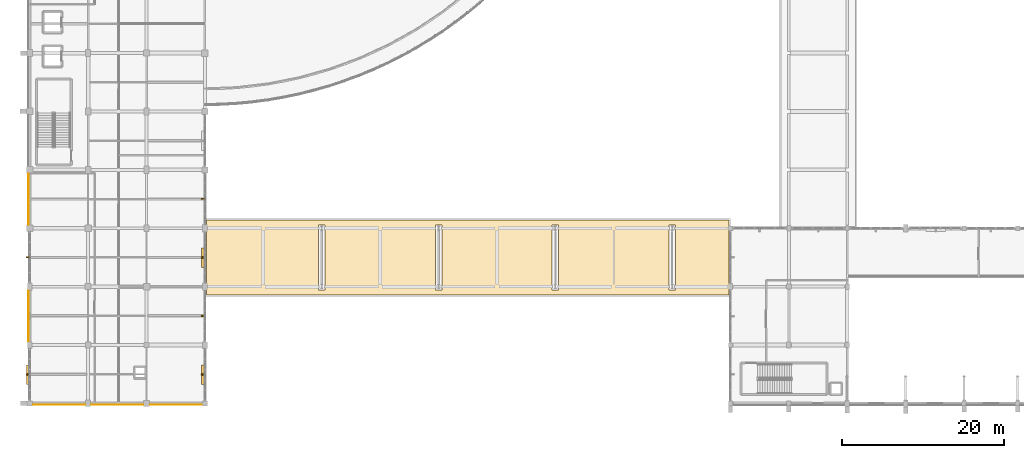
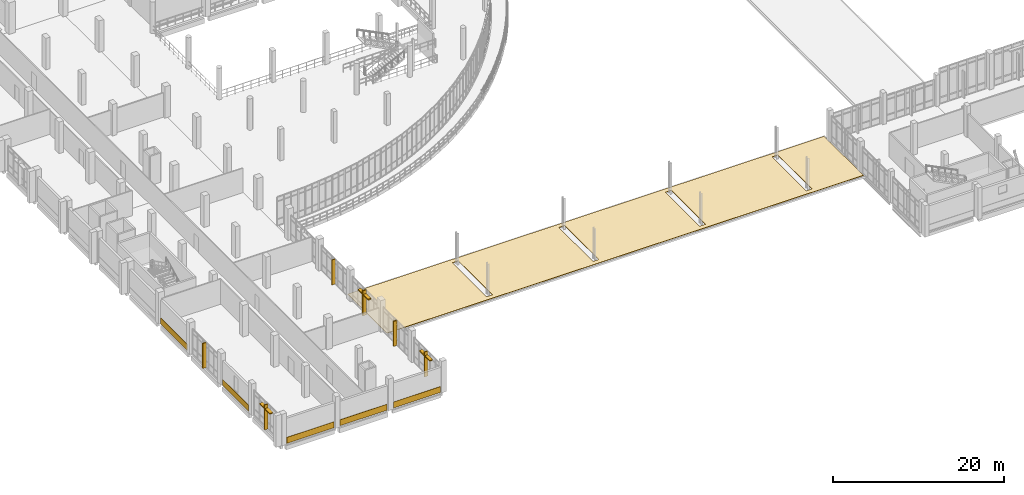
# One storey, part 122 of 134: 9 shading devices, 6 coverings.
"""IFC4 building model written with IfcOpenShell, lengths in metres."""

from ifc_helpers import new_model, si_unit, direction, frame, origin, origin_2d, place, context, subcontext, project, spatial, polyline, rectangle, outline, extrude, material, layer, layer_set, type_object, element, save


model = new_model("IFC4")

# Units and contexts
model_context = context("Model", 3, precision=1e-05, world=origin(), true_north=direction((0.0, 1.0)))
body_context = subcontext(model_context, "Body", "Model", "MODEL_VIEW")
ifc_project = project(units=[si_unit("LENGTHUNIT", "METRE"), si_unit("AREAUNIT", "SQUARE_METRE"), si_unit("VOLUMEUNIT", "CUBIC_METRE"), si_unit("PLANEANGLEUNIT", "RADIAN"), si_unit("MASSUNIT", "GRAM", prefix="KILO")], contexts=[model_context])

# Site, building, storey
site_placement = place(None, origin())
site = spatial("IfcSite", under=ifc_project, at=site_placement, CompositionType="ELEMENT")
building_placement = place(site_placement, origin())
building = spatial("IfcBuilding", under=site, at=building_placement, Name="Kalluvel Institute of Natural Sciences", CompositionType="ELEMENT")
storey_placement = place(building_placement, frame((0.0, 0.0, 5.39990234375)))
storey = spatial("IfcBuildingStorey", under=building, at=storey_placement, Name="L01", CompositionType="ELEMENT", Elevation=5.39990234375)

# Coverings
ifc_material_1 = material(Name="Sadarahalli Grey Granite Ashlar Concrete M40", Category="masonry")
ifc_layer_1 = layer(ifc_material_1, 0.044921875)
ifc_layer_set_1 = layer_set([ifc_layer_1], Name="Sadarahalli Grey Granite Ashlar Concrete M40")
covering_type_1 = type_object("IfcCoveringType", Name="COV-CLAD-STONE", PredefinedType="CLADDING", material=ifc_layer_set_1)
covering_1_placement = place(storey_placement, frame((13.830078125, 24.77490234375, 0.025146484375), z_axis=(0.0, 0.0, 1.0), x_axis=(0.0, 1.0, 0.0)))
element("IfcCovering", 1, at=covering_1_placement, inside=storey, type_object=covering_type_1, Name="L01 Sadarahalli granite plinth spandrel cladding 138", PredefinedType="CLADDING", context=body_context, shape_type="SweptSolid", body=[
    extrude(rectangle(XDim=6.18994140625, YDim=0.044921875, at=origin_2d()), origin(), (0.0, 0.0, 1.0), 0.85009765625),
])
covering_2_placement = place(storey_placement, frame((13.830078125, 39.1875, 0.025146484375), z_axis=(0.0, 0.0, 1.0), x_axis=(0.0, 1.0, 0.0)))
element("IfcCovering", 2, at=covering_2_placement, inside=storey, type_object=covering_type_1, Name="L01 Sadarahalli granite plinth spandrel cladding 139", PredefinedType="CLADDING", context=body_context, shape_type="SweptSolid", body=[
    extrude(rectangle(XDim=6.264892578125, YDim=0.044921875, at=origin_2d()), origin(), (0.0, 0.0, 1.0), 0.85009765625),
])
covering_3_placement = place(storey_placement, frame((17.612548828125, 13.830078125, 0.025146484375), z_axis=(0.0, 0.0, 1.0), x_axis=(1.0, 0.0, 0.0)))
element("IfcCovering", 3, at=covering_3_placement, inside=storey, type_object=covering_type_1, Name="L01 Sadarahalli granite plinth spandrel cladding 146", PredefinedType="CLADDING", context=body_context, shape_type="SweptSolid", body=[
    extrude(rectangle(XDim=6.4150390625, YDim=0.044921875, at=origin_2d()), origin(), (0.0, 0.0, 1.0), 0.85009765625),
])
covering_4_placement = place(storey_placement, frame((24.77490234375, 13.830078125, 0.025146484375), z_axis=(0.0, 0.0, 1.0), x_axis=(1.0, 0.0, 0.0)))
element("IfcCovering", 4, at=covering_4_placement, inside=storey, type_object=covering_type_1, Name="L01 Sadarahalli granite plinth spandrel cladding 147", PredefinedType="CLADDING", context=body_context, shape_type="SweptSolid", body=[
    extrude(rectangle(XDim=6.389892578125, YDim=0.044921875, at=origin_2d()), origin(), (0.0, 0.0, 1.0), 0.85009765625),
])
covering_5_placement = place(storey_placement, frame((32.012451171875, 13.830078125, 0.025146484375), z_axis=(0.0, 0.0, 1.0), x_axis=(1.0, 0.0, 0.0)))
element("IfcCovering", 5, at=covering_5_placement, inside=storey, type_object=covering_type_1, Name="L01 Sadarahalli granite plinth spandrel cladding 148", PredefinedType="CLADDING", context=body_context, shape_type="SweptSolid", body=[
    extrude(rectangle(XDim=6.364990234375, YDim=0.044921875, at=origin_2d()), origin(), (0.0, 0.0, 1.0), 0.85009765625),
])
ifc_material_2 = material(Name="SBS Polymer-Modified Bitumen Waterproofing", Category="bitumen")
ifc_layer_2 = layer(ifc_material_2, 0.06005859375)
ifc_layer_set_2 = layer_set([ifc_layer_2], Name="SBS Polymer-Modified Bitumen Waterproofing")
covering_type_2 = type_object("IfcCoveringType", Name="COV-ROOF-SBS", PredefinedType="ROOFING", material=ifc_layer_set_2)
covering_6_placement = place(storey_placement, origin())
element("IfcCovering", 6, at=covering_6_placement, inside=storey, type_object=covering_type_2, Name="L01 SBS roof waterproofing build-up RM-L01-COL1", PredefinedType="ROOFING", context=body_context, shape_type="SweptSolid", body=[
    extrude(outline(polyline([(35.800048828125, 27.39990234375), (100.199951171875, 27.39990234375), (100.199951171875, 36.60009765625), (35.800048828125, 36.60009765625), (35.800048828125, 27.39990234375)]), holes=[polyline([(49.60009765625, 28.0), (50.39990234375, 28.0), (50.39990234375, 36.0), (49.60009765625, 36.0), (49.60009765625, 28.0)]), polyline([(64.0, 28.0), (64.800048828125, 28.0), (64.800048828125, 36.0), (64.0, 36.0), (64.0, 28.0)]), polyline([(78.39990234375, 28.0), (79.199951171875, 28.0), (79.199951171875, 36.0), (78.39990234375, 36.0), (78.39990234375, 28.0)]), polyline([(92.800048828125, 28.0), (93.60009765625, 28.0), (93.60009765625, 36.0), (92.800048828125, 36.0), (92.800048828125, 28.0)])]), origin(), (0.0, 0.0, 1.0), 0.06005859375),
])

# Shading devices
shading_device_type_1 = type_object("IfcShadingDeviceType", Name="SHD-FIN-STONE", PredefinedType="USERDEFINED", material=ifc_material_1)
for number, where, z_axis, x_axis, name in (
    (7, (13.780029296875, 17.5625, 0.0), (0.0, 0.0, 1.0), (0.0, 1.0, 0.0), "L01 monsoon lancet shading fin 126"),
    (8, (13.780029296875, 32.03759765625, 0.0), (0.0, 0.0, 1.0), (0.0, 1.0, 0.0), "L01 monsoon lancet shading fin 128"),
    (9, (35.3798828125, 17.5625, 0.0), (0.0, 0.0, 1.0), (0.0, 1.0, 0.0), "L01 monsoon lancet shading fin 132"),
    (10, (35.3798828125, 24.78759765625, 0.0), (0.0, 0.0, 1.0), (0.0, 1.0, 0.0), "L01 monsoon lancet shading fin 134"),
    (11, (35.3798828125, 31.987548828125, 0.0), (0.0, 0.0, 1.0), (0.0, 1.0, 0.0), "L01 monsoon lancet shading fin 135"),
    (12, (35.3798828125, 39.237548828125, 0.0), (0.0, 0.0, 1.0), (0.0, 1.0, 0.0), "L01 monsoon lancet shading fin 137"),
):
    element("IfcShadingDevice", number, at=place(storey_placement, frame(where, z_axis=z_axis, x_axis=x_axis)), inside=storey, type_object=shading_device_type_1, Name=name, ObjectType="MONSOON FIN", PredefinedType="USERDEFINED", context=body_context, shape_type="SweptSolid", body=[
        extrude(rectangle(XDim=0.139892578125, YDim=0.47998046875, at=origin_2d()), origin(), (0.0, 0.0, 1.0), 3.570068359375),
    ])
ifc_material_3 = material(Name="Aluminium AW-6063 T6", Category="aluminium")
shading_device_type_2 = type_object("IfcShadingDeviceType", Name="SHD-LOUV-ALU", PredefinedType="JALOUSIE", material=ifc_material_3)
for number, where, z_axis, x_axis, name in (
    (13, (13.800048828125, 17.5625, 2.89013671875), (0.0, 0.0, 1.0), (0.0, 1.0, 0.0), "L01 aluminium sun-shading louvre 127"),
    (14, (35.39990234375, 17.5625, 2.89013671875), (0.0, 0.0, 1.0), (0.0, 1.0, 0.0), "L01 aluminium sun-shading louvre 133"),
    (15, (35.39990234375, 31.987548828125, 2.89013671875), (0.0, 0.0, 1.0), (0.0, 1.0, 0.0), "L01 aluminium sun-shading louvre 136"),
):
    element("IfcShadingDevice", number, at=place(storey_placement, frame(where, z_axis=z_axis, x_axis=x_axis)), inside=storey, type_object=shading_device_type_2, Name=name, PredefinedType="JALOUSIE", context=body_context, shape_type="SweptSolid", body=[
        extrude(rectangle(XDim=2.39990234375, YDim=0.419921875, at=origin_2d()), origin(), (0.0, 0.0, 1.0), 0.159912109375),
    ])

save(model, "model.ifc")
